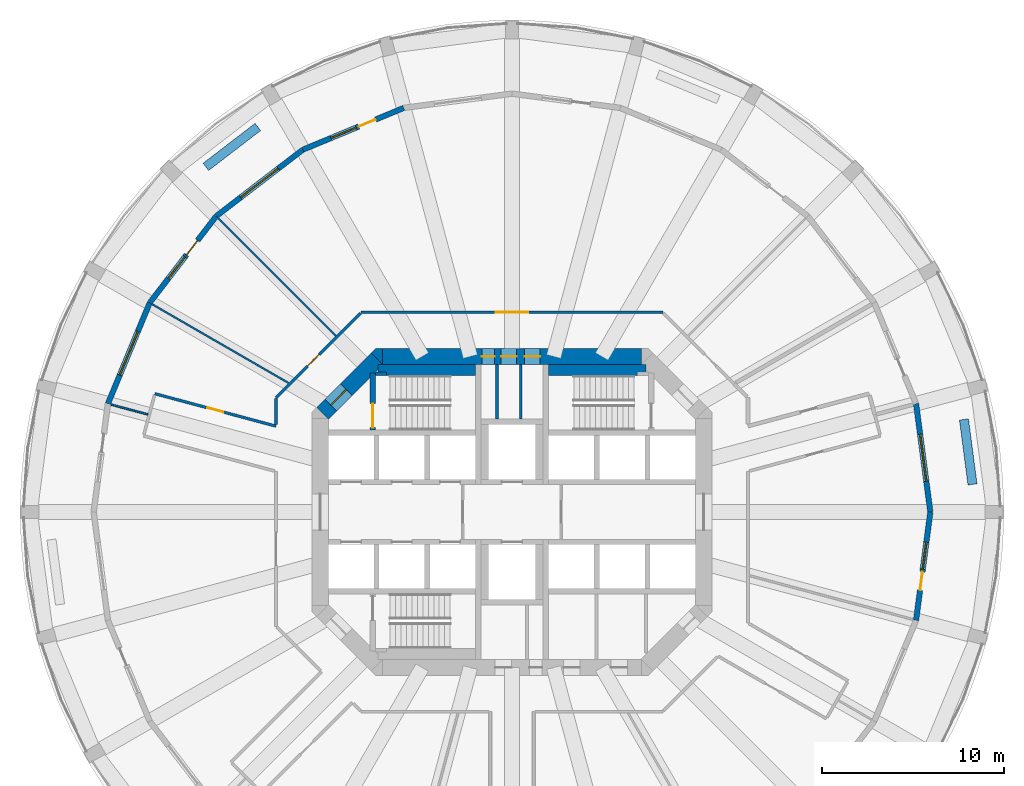
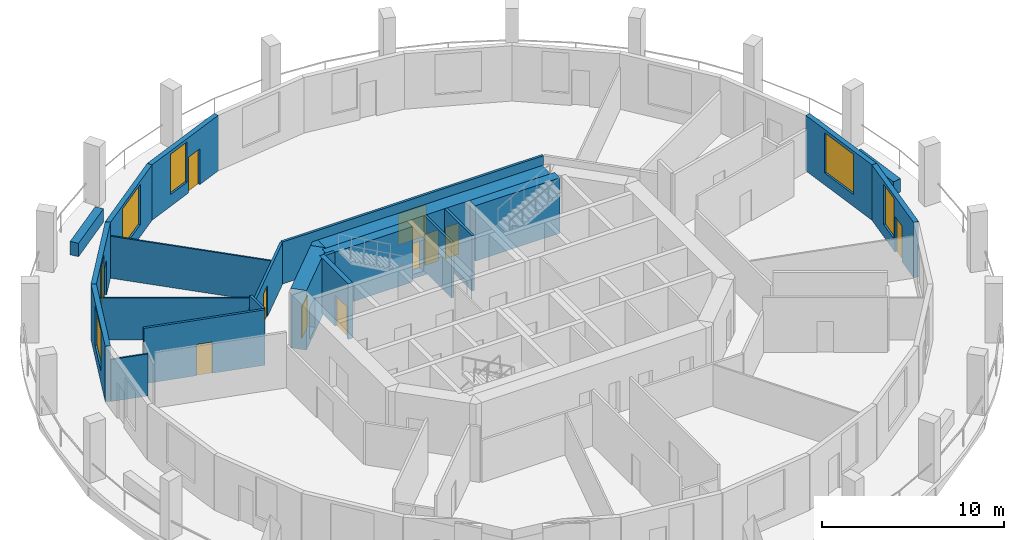
# One storey, part 5 of 9: 24 walls, 11 doors, 6 windows, 17 openings.
"""IFC4 building model written with IfcOpenShell, lengths in metres."""

from ifc_helpers import new_model, si_unit, direction, frame, frame_2d, origin, place, context, subcontext, project, spatial, polyline, rectangle, outline, extrude, material, layer, layer_set, type_object, element, fill, save


model = new_model("IFC4")

# Units and contexts
model_context = context("Model", 3, precision=1e-05, world=origin(), true_north=direction((0.0, 1.0)))
body_context = subcontext(model_context, "Body", "Model", "MODEL_VIEW")
ifc_project = project(units=[si_unit("LENGTHUNIT", "METRE"), si_unit("AREAUNIT", "SQUARE_METRE"), si_unit("VOLUMEUNIT", "CUBIC_METRE"), si_unit("PLANEANGLEUNIT", "RADIAN"), si_unit("MASSUNIT", "GRAM", prefix="KILO")], contexts=[model_context])

# Site, building, storey
site_placement = place(None, origin())
site = spatial("IfcSite", under=ifc_project, at=site_placement, CompositionType="ELEMENT")
building_placement = place(site_placement, origin())
building = spatial("IfcBuilding", under=site, at=building_placement, Name="Torre Triforio", CompositionType="ELEMENT")
storey_placement = place(building_placement, frame((0.0, 0.0, 47.0)))
storey = spatial("IfcBuildingStorey", under=building, at=storey_placement, Name="L09", CompositionType="ELEMENT", Elevation=47.0)

# Wall, openings, doors
ifc_material_1 = material(Name="Concrete C60", Category="concrete")
ifc_layer_1 = layer(ifc_material_1, 0.89990234375)
ifc_layer_set_1 = layer_set([ifc_layer_1], Name="Concrete C60")
wall_type_1 = type_object("IfcWallType", Name="Core wall 900 mm C60 EI 120", PredefinedType="SHEAR", material=ifc_layer_set_1)
wall_1_placement = place(storey_placement, frame((-7.1298828125, 8.550048828125, -0.280029296875), z_axis=(0.0, 0.0, 1.0), x_axis=(1.0, 0.0, 0.0)))
wall_1 = element("IfcWall", 1, at=wall_1_placement, inside=storey, type_object=wall_type_1, Name="Core wall", PredefinedType="SHEAR", context=body_context, shape_type="SweptSolid", body=[
    extrude(rectangle(XDim=14.259765625, YDim=0.89990234375, at=frame_2d((7.1298828125, 0.0))), origin(), (0.0, 0.0, 1.0), 4.0),
])
opening_1_placement = place(wall_1_placement, frame((5.47998046875, 0.0, 0.280029296875)))
opening_1 = element("IfcOpeningElement", 2, at=opening_1_placement, cuts=wall_1, Name="Opening RISER-N", PredefinedType="OPENING", context=body_context, shape_type="SweptSolid", body=[
    extrude(rectangle(XDim=0.699951171875, YDim=2.10009765625, at=frame_2d((0.35009765625, 1.050048828125))), frame((0.0, 0.4599609375, 0.0), z_axis=(0.0, -1.0, 0.0), x_axis=(1.0, 0.0, 0.0)), (0.0, 0.0, 1.0), 0.919921875),
])
opening_2_placement = place(wall_1_placement, frame((6.530029296875, 0.0, 0.280029296875)))
opening_2 = element("IfcOpeningElement", 3, at=opening_2_placement, cuts=wall_1, Name="Opening NE-01A", PredefinedType="OPENING", context=body_context, shape_type="SweptSolid", body=[
    extrude(rectangle(XDim=0.85009765625, YDim=2.10009765625, at=frame_2d((0.425048828125, 1.050048828125))), frame((0.0, 0.4599609375, 0.0), z_axis=(0.0, -1.0, 0.0), x_axis=(1.0, 0.0, 0.0)), (0.0, 0.0, 1.0), 0.919921875),
])
opening_3_placement = place(wall_1_placement, frame((7.830078125, 0.0, 0.280029296875)))
opening_3 = element("IfcOpeningElement", 4, at=opening_3_placement, cuts=wall_1, Name="Opening NE-02", PredefinedType="OPENING", context=body_context, shape_type="SweptSolid", body=[
    extrude(rectangle(XDim=0.85009765625, YDim=2.10009765625, at=frame_2d((0.425048828125, 1.050048828125))), frame((0.0, 0.4599609375, 0.0), z_axis=(0.0, -1.0, 0.0), x_axis=(1.0, 0.0, 0.0)), (0.0, 0.0, 1.0), 0.919921875),
])
ifc_material_2 = material(Name="Hollow metal fire door leaf")
door_type_1 = type_object("IfcDoorType", Name="Plant room door 850 x 2100 EI 60", OperationType="NOTDEFINED", PredefinedType="DOOR", material=ifc_material_2)
door_1_placement = place(opening_3_placement, origin())
door_1 = element("IfcDoor", 5, at=door_1_placement, inside=storey, type_object=door_type_1, Name="Core door NE-02", OperationType="SINGLE_SWING_RIGHT", OverallHeight=2.10009765625, OverallWidth=0.85009765625, PredefinedType="DOOR", context=body_context, shape_type="SweptSolid", body=[
    extrude(rectangle(XDim=0.85009765625, YDim=2.10009765625, at=frame_2d((0.425048828125, 1.050048828125))), frame((0.0, 0.02490234375, 0.0), z_axis=(0.0, -1.0, 0.0), x_axis=(1.0, 0.0, 0.0)), (0.0, 0.0, 1.0), 0.050048828125),
])
fill(opening_3, door_1)
door_type_2 = type_object("IfcDoorType", Name="Riser door 700 x 2100 EI 60", OperationType="NOTDEFINED", PredefinedType="DOOR", material=ifc_material_2)
door_2_placement = place(opening_1_placement, origin())
door_2 = element("IfcDoor", 6, at=door_2_placement, inside=storey, type_object=door_type_2, Name="Core door RISER-N", OperationType="SINGLE_SWING_LEFT", OverallHeight=2.10009765625, OverallWidth=0.699951171875, PredefinedType="DOOR", context=body_context, shape_type="SweptSolid", body=[
    extrude(rectangle(XDim=0.699951171875, YDim=2.10009765625, at=frame_2d((0.35009765625, 1.050048828125))), frame((0.0, 0.02490234375, 0.0), z_axis=(0.0, -1.0, 0.0), x_axis=(1.0, 0.0, 0.0)), (0.0, 0.0, 1.0), 0.050048828125),
])
fill(opening_1, door_2)
door_type_3 = type_object("IfcDoorType", Name="Room door 850 x 2100 EI 60", OperationType="NOTDEFINED", PredefinedType="DOOR", material=ifc_material_2)
door_3_placement = place(opening_2_placement, origin())
door_3 = element("IfcDoor", 7, at=door_3_placement, inside=storey, type_object=door_type_3, Name="Core door NE-01", OperationType="SINGLE_SWING_LEFT", OverallHeight=2.10009765625, OverallWidth=0.85009765625, PredefinedType="DOOR", context=body_context, shape_type="SweptSolid", body=[
    extrude(rectangle(XDim=0.85009765625, YDim=2.10009765625, at=frame_2d((0.425048828125, 1.050048828125))), frame((0.0, 0.02490234375, 0.0), z_axis=(0.0, -1.0, 0.0), x_axis=(1.0, 0.0, 0.0)), (0.0, 0.0, 1.0), 0.050048828125),
])
fill(opening_2, door_3)

# Wall, opening, door
wall_2_placement = place(storey_placement, frame((-10.418212890625, 5.418212890625, -0.280029296875), z_axis=(0.0, 0.0, 1.0), x_axis=(0.707106781187, 0.707106781187, 0.0)))
wall_2 = element("IfcWall", 8, at=wall_2_placement, inside=storey, type_object=wall_type_1, Name="Core wall", PredefinedType="SHEAR", context=body_context, shape_type="SweptSolid", body=[
    extrude(rectangle(XDim=4.24267578125, YDim=0.89990234375, at=frame_2d((2.121337890625, 0.0))), origin(), (0.0, 0.0, 1.0), 4.0),
])
opening_4_placement = place(wall_2_placement, frame((0.64990234375, 0.0, 0.280029296875)))
opening_4 = element("IfcOpeningElement", 9, at=opening_4_placement, cuts=wall_2, Name="Opening ST1-EXIT", PredefinedType="OPENING", context=body_context, shape_type="SweptSolid", body=[
    extrude(rectangle(XDim=1.199951171875, YDim=2.10009765625, at=frame_2d((0.60009765625, 1.050048828125))), frame((0.0, 0.4599609375, 0.0), z_axis=(0.0, -1.0, 0.0), x_axis=(1.0, 0.0, 0.0)), (0.0, 0.0, 1.0), 0.919921875),
])
door_type_4 = type_object("IfcDoorType", Name="Stair lobby door 1200 x 2100 EI 60", OperationType="NOTDEFINED", PredefinedType="DOOR", material=ifc_material_2)
door_4_placement = place(opening_4_placement, origin())
door_4 = element("IfcDoor", 10, at=door_4_placement, inside=storey, type_object=door_type_4, Name="Core door ST1-EXIT", OperationType="SINGLE_SWING_RIGHT", OverallHeight=2.10009765625, OverallWidth=1.199951171875, PredefinedType="DOOR", context=body_context, shape_type="SweptSolid", body=[
    extrude(rectangle(XDim=1.199951171875, YDim=2.10009765625, at=frame_2d((0.60009765625, 1.050048828125))), frame((0.0, 0.02490234375, 0.0), z_axis=(0.0, -1.0, 0.0), x_axis=(1.0, 0.0, 0.0)), (0.0, 0.0, 1.0), 0.050048828125),
])
fill(opening_4, door_4)

# Wall
wall_3_placement = place(storey_placement, frame((0.0, 0.0, -0.280029296875)))
element("IfcWall", 11, at=wall_3_placement, inside=storey, type_object=wall_type_1, Name="Core wall", PredefinedType="SHEAR", context=body_context, shape_type="SweptSolid", body=[
    extrude(outline(polyline([(-7.472900390625, 9.0), (-7.1298828125, 9.0), (-7.1298828125, 8.1298828125), (-7.736328125, 8.736328125), (-7.472900390625, 9.0)])), origin(), (0.0, 0.0, 1.0), 4.0),
])

# Wall, opening, door
ifc_material_3 = material(Name="Plasterboard on metal studs")
ifc_layer_2 = layer(ifc_material_3, 0.14990234375)
ifc_layer_set_2 = layer_set([ifc_layer_2], Name="Plasterboard on metal studs")
wall_type_2 = type_object("IfcWallType", Name="Corridor and tenancy wall 150 mm EI 60", PredefinedType="PARTITIONING", material=ifc_layer_set_2)
wall_4_placement = place(storey_placement, frame((-19.634521484375, 6.50341796875, 0.0), z_axis=(0.0, 0.0, 1.0), x_axis=(0.965924499418, -0.258823997003, 0.0)))
wall_4 = element("IfcWall", 12, at=wall_4_placement, inside=storey, type_object=wall_type_2, Name="Partition 17", PredefinedType="PARTITIONING", context=body_context, shape_type="SweptSolid", body=[
    extrude(rectangle(XDim=6.894287109375, YDim=0.14990234375, at=frame_2d((3.447265625, 0.0))), origin(), (0.0, 0.0, 1.0), 3.719970703125),
])
opening_5_placement = place(wall_4_placement, frame((2.997314453125, 0.0, 0.0)))
opening_5 = element("IfcOpeningElement", 13, at=opening_5_placement, cuts=wall_4, Name="Opening N2-03", PredefinedType="OPENING", context=body_context, shape_type="SweptSolid", body=[
    extrude(rectangle(XDim=0.89990234375, YDim=2.10009765625, at=frame_2d((0.449951171875, 1.050048828125))), frame((0.0, 0.0849609375, 0.0), z_axis=(0.0, -1.0, 0.0), x_axis=(1.0, 0.0, 0.0)), (0.0, 0.0, 1.0), 0.169921875),
])
ifc_material_4 = material(Name="Timber", Category="wood")
door_type_5 = type_object("IfcDoorType", Name="Door 900 x 2100 single leaf EI 30", OperationType="NOTDEFINED", PredefinedType="DOOR", material=ifc_material_4)
door_5_placement = place(opening_5_placement, origin())
door_5 = element("IfcDoor", 14, at=door_5_placement, inside=storey, type_object=door_type_5, Name="Door N2-03", OperationType="SINGLE_SWING_LEFT", OverallHeight=2.10009765625, OverallWidth=0.89990234375, PredefinedType="DOOR", context=body_context, shape_type="SweptSolid", body=[
    extrude(rectangle(XDim=0.89990234375, YDim=2.10009765625, at=frame_2d((0.449951171875, 1.050048828125))), frame((0.0, 0.02490234375, 0.0), z_axis=(0.0, -1.0, 0.0), x_axis=(1.0, 0.0, 0.0)), (0.0, 0.0, 1.0), 0.050048828125),
])
fill(opening_5, door_5)

# Wall
wall_5_placement = place(storey_placement, frame((-12.97509765625, 4.81640625, 0.0), z_axis=(0.0, 0.0, 1.0), x_axis=(0.0, 1.0, 0.0)))
element("IfcWall", 15, at=wall_5_placement, inside=storey, type_object=wall_type_2, Name="Partition 18", PredefinedType="PARTITIONING", context=body_context, shape_type="SweptSolid", body=[
    extrude(rectangle(XDim=1.421875, YDim=0.14990234375, at=frame_2d((0.7109375, 0.0))), origin(), (0.0, 0.0, 1.0), 3.719970703125),
])

# Wall, opening, door
wall_6_placement = place(storey_placement, frame((-12.97509765625, 6.291015625, 0.0), z_axis=(0.0, 0.0, 1.0), x_axis=(0.707125355289, 0.707088206597, 0.0)))
wall_6 = element("IfcWall", 16, at=wall_6_placement, inside=storey, type_object=wall_type_2, Name="Partition 19", PredefinedType="PARTITIONING", context=body_context, shape_type="SweptSolid", body=[
    extrude(rectangle(XDim=6.572021484375, YDim=0.14990234375, at=frame_2d((3.2861328125, 0.0))), origin(), (0.0, 0.0, 1.0), 2.820068359375),
])
opening_6_placement = place(wall_6_placement, frame((2.450439453125, 0.0, 0.0)))
opening_6 = element("IfcOpeningElement", 17, at=opening_6_placement, cuts=wall_6, Name="Opening N2-02", PredefinedType="OPENING", context=body_context, shape_type="SweptSolid", body=[
    extrude(rectangle(XDim=0.89990234375, YDim=2.10009765625, at=frame_2d((0.449951171875, 1.050048828125))), frame((0.0, 0.0849609375, 0.0), z_axis=(0.0, -1.0, 0.0), x_axis=(1.0, 0.0, 0.0)), (0.0, 0.0, 1.0), 0.169921875),
])
door_6_placement = place(opening_6_placement, origin())
door_6 = element("IfcDoor", 18, at=door_6_placement, inside=storey, type_object=door_type_5, Name="Door N2-02", OperationType="SINGLE_SWING_LEFT", OverallHeight=2.10009765625, OverallWidth=0.89990234375, PredefinedType="DOOR", context=body_context, shape_type="SweptSolid", body=[
    extrude(rectangle(XDim=0.89990234375, YDim=2.10009765625, at=frame_2d((0.449951171875, 1.050048828125))), frame((0.0, 0.02490234375, 0.0), z_axis=(0.0, -1.0, 0.0), x_axis=(1.0, 0.0, 0.0)), (0.0, 0.0, 1.0), 0.050048828125),
])
fill(opening_6, door_6)

wall_7_placement = place(storey_placement, frame((-8.291015625, 10.97509765625, 0.0), z_axis=(0.0, 0.0, 1.0), x_axis=(1.0, 0.0, 0.0)))
wall_7 = element("IfcWall", 19, at=wall_7_placement, inside=storey, type_object=wall_type_2, Name="Partition 20", PredefinedType="PARTITIONING", context=body_context, shape_type="SweptSolid", body=[
    extrude(rectangle(XDim=16.58203125, YDim=0.14990234375, at=frame_2d((8.291015625, 0.0))), origin(), (0.0, 0.0, 1.0), 2.820068359375),
])
opening_7_placement = place(wall_7_placement, frame((7.390869140625, 0.0, 0.0)))
opening_7 = element("IfcOpeningElement", 20, at=opening_7_placement, cuts=wall_7, Name="Opening N2-01", PredefinedType="OPENING", context=body_context, shape_type="SweptSolid", body=[
    extrude(rectangle(XDim=1.800048828125, YDim=2.10009765625, at=frame_2d((0.89990234375, 1.050048828125))), frame((0.0, 0.0849609375, 0.0), z_axis=(0.0, -1.0, 0.0), x_axis=(1.0, 0.0, 0.0)), (0.0, 0.0, 1.0), 0.169921875),
])
door_type_6 = type_object("IfcDoorType", Name="Door 1800 x 2100 double leaf EI 30", OperationType="DOUBLE_DOOR_SINGLE_SWING", PredefinedType="DOOR", material=ifc_material_4)
door_7_placement = place(opening_7_placement, origin())
door_7 = element("IfcDoor", 21, at=door_7_placement, inside=storey, type_object=door_type_6, Name="Door N2-01", OperationType="DOUBLE_DOOR_SINGLE_SWING", OverallHeight=2.10009765625, OverallWidth=1.800048828125, PredefinedType="DOOR", context=body_context, shape_type="SweptSolid", body=[
    extrude(rectangle(XDim=1.800048828125, YDim=2.10009765625, at=frame_2d((0.89990234375, 1.050048828125))), frame((0.0, 0.02490234375, 0.0), z_axis=(0.0, -1.0, 0.0), x_axis=(1.0, 0.0, 0.0)), (0.0, 0.0, 1.0), 0.050048828125),
])
fill(opening_7, door_7)

# Walls
ifc_layer_3 = layer(ifc_material_3, 0.10009765625)
ifc_layer_set_3 = layer_set([ifc_layer_3], Name="Plasterboard on metal studs")
wall_type_3 = type_object("IfcWallType", Name="Partition 100 mm board on metal studs", PredefinedType="PARTITIONING", material=ifc_layer_set_3)
wall_8_placement = place(storey_placement, frame((-9.68603515625, 9.68603515625, 0.0), z_axis=(0.0, 0.0, 1.0), x_axis=(-0.707106781187, 0.707106781187, 0.0)))
element("IfcWall", 22, at=wall_8_placement, inside=storey, type_object=wall_type_3, Name="Partition 33", PredefinedType="PARTITIONING", context=body_context, shape_type="SweptSolid", body=[
    extrude(rectangle(XDim=9.138427734375, YDim=0.10009765625, at=frame_2d((4.5693359375, 0.0))), origin(), (0.0, 0.0, 1.0), 2.820068359375),
])
wall_9_placement = place(storey_placement, frame((-12.294189453125, 7.097900390625, 0.0), z_axis=(0.0, 0.0, 1.0), x_axis=(-0.866010547425, 0.500025731086, 0.0)))
element("IfcWall", 23, at=wall_9_placement, inside=storey, type_object=wall_type_3, Name="Partition 34", PredefinedType="PARTITIONING", context=body_context, shape_type="SweptSolid", body=[
    extrude(rectangle(XDim=8.640625, YDim=0.10009765625, at=frame_2d((4.3203125, 0.0))), origin(), (0.0, 0.0, 1.0), 2.820068359375),
])
wall_10_placement = place(storey_placement, frame((-20.017578125, 5.36376953125, 0.0), z_axis=(0.0, 0.0, 1.0), x_axis=(-0.965927422152, 0.258813089189, 0.0)))
element("IfcWall", 24, at=wall_10_placement, inside=storey, type_object=wall_type_3, Name="Partition 35", PredefinedType="PARTITIONING", context=body_context, shape_type="SweptSolid", body=[
    extrude(rectangle(XDim=2.113037109375, YDim=0.10009765625, at=frame_2d((1.056640625, 0.0))), origin(), (0.0, 0.0, 1.0), 2.820068359375),
])
ifc_material_5 = material(Name="Block and board partition")
ifc_layer_4 = layer(ifc_material_5, 0.14990234375)
ifc_layer_set_4 = layer_set([ifc_layer_4], Name="Block and board partition")
wall_type_4 = type_object("IfcWallType", Name="Partition 150 mm", PredefinedType="PARTITIONING", material=ifc_layer_set_4)
wall_11_placement = place(storey_placement, frame((0.47509765625, 5.10009765625, 0.0), z_axis=(0.0, 0.0, 1.0), x_axis=(0.0, 1.0, 0.0)))
element("IfcWall", 25, at=wall_11_placement, inside=storey, type_object=wall_type_4, Name="Partition", PredefinedType="PARTITIONING", context=body_context, shape_type="SweptSolid", body=[
    extrude(rectangle(XDim=3.0, YDim=0.14990234375, at=frame_2d((1.5, 0.0))), origin(), (0.0, 0.0, 1.0), 3.719970703125),
])
ifc_layer_5 = layer(ifc_material_5, 0.14990234375)
ifc_layer_set_5 = layer_set([ifc_layer_5], Name="Block and board partition")
wall_type_5 = type_object("IfcWallType", Name="Partition 150 mm EI 120", PredefinedType="PARTITIONING", material=ifc_layer_set_5)
wall_12_placement = place(storey_placement, frame((-0.824951171875, 5.10009765625, 0.0), z_axis=(0.0, 0.0, 1.0), x_axis=(0.0, 1.0, 0.0)))
element("IfcWall", 26, at=wall_12_placement, inside=storey, type_object=wall_type_5, Name="Partition", PredefinedType="PARTITIONING", context=body_context, shape_type="SweptSolid", body=[
    extrude(rectangle(XDim=3.0, YDim=0.14990234375, at=frame_2d((1.5, 0.0))), origin(), (0.0, 0.0, 1.0), 3.719970703125),
])
ifc_material_6 = material(Name="Limestone cladding", Category="masonry")
ifc_layer_6 = layer(ifc_material_6, 0.10009765625)
ifc_material_7 = material(Name="Concrete C40", Category="concrete")
ifc_layer_7 = layer(ifc_material_7, 0.39990234375)
ifc_layer_set_6 = layer_set([ifc_layer_6, ifc_layer_7], Name="Limestone cladding / Concrete C40")
wall_type_6 = type_object("IfcWallType", Name="Planter wall 500", PredefinedType="PARAPET", material=ifc_layer_set_6)
wall_13_placement = place(storey_placement, frame((25.318603515625, 1.517578125, 0.0), z_axis=(0.0, 0.0, 1.0), x_axis=(-0.130542222659, 0.991442750795, 0.0)))
element("IfcWall", 27, at=wall_13_placement, inside=storey, type_object=wall_type_6, Name="Planter L09 bay 01", PredefinedType="PARAPET", context=body_context, shape_type="SweptSolid", body=[
    extrude(rectangle(XDim=3.60009765625, YDim=0.5, at=frame_2d((1.800048828125, 0.0))), origin(), (0.0, 0.0, 1.0), 0.89990234375),
])
wall_14_placement = place(storey_placement, frame((-13.9736328125, 21.16748046875, 0.0), z_axis=(0.0, 0.0, 1.0), x_axis=(-0.793359599829, -0.608753271334, 0.0)))
element("IfcWall", 28, at=wall_14_placement, inside=storey, type_object=wall_type_6, Name="Planter L09 bay 09", PredefinedType="PARAPET", context=body_context, shape_type="SweptSolid", body=[
    extrude(rectangle(XDim=3.599853515625, YDim=0.5, at=frame_2d((1.7998046875, 0.0))), origin(), (0.0, 0.0, 1.0), 0.89990234375),
])
ifc_layer_8 = layer(ifc_material_1, 0.199951171875)
ifc_layer_set_7 = layer_set([ifc_layer_8], Name="Concrete C60")
wall_type_7 = type_object("IfcWallType", Name="Stair wall 200 mm C60 EI 120", PredefinedType="SHEAR", material=ifc_layer_set_7)
wall_15_placement = place(storey_placement, frame((-7.5, 7.60009765625, 0.0), z_axis=(0.0, 0.0, 1.0), x_axis=(1.0, 0.0, 0.0)))
element("IfcWall", 29, at=wall_15_placement, inside=storey, type_object=wall_type_7, Name="Stair wall", PredefinedType="SHEAR", context=body_context, shape_type="SweptSolid", body=[
    extrude(rectangle(XDim=0.60009765625, YDim=0.199951171875, at=frame_2d((0.300048828125, 0.0))), origin(), (0.0, 0.0, 1.0), 3.719970703125),
])

# Wall, opening, door
ifc_layer_9 = layer(ifc_material_1, 0.300048828125)
ifc_layer_set_8 = layer_set([ifc_layer_9], Name="Concrete C60")
wall_type_8 = type_object("IfcWallType", Name="Stair wall 300 mm C60 EI 120", PredefinedType="SHEAR", material=ifc_layer_set_8)
wall_16_placement = place(storey_placement, frame((-7.64990234375, 4.5, 0.0), z_axis=(0.0, 0.0, 1.0), x_axis=(0.0, 1.0, 0.0)))
wall_16 = element("IfcWall", 30, at=wall_16_placement, inside=storey, type_object=wall_type_8, Name="Stair wall", PredefinedType="SHEAR", context=body_context, shape_type="SweptSolid", body=[
    extrude(rectangle(XDim=3.139892578125, YDim=0.300048828125, at=frame_2d((1.56982421875, 0.0))), origin(), (0.0, 0.0, 1.0), 3.719970703125),
])
opening_8_placement = place(wall_16_placement, frame((0.139892578125, 0.0, 0.0)))
opening_8 = element("IfcOpeningElement", 31, at=opening_8_placement, cuts=wall_16, Name="Opening ST1-STA", PredefinedType="OPENING", context=body_context, shape_type="SweptSolid", body=[
    extrude(rectangle(XDim=1.320068359375, YDim=2.10009765625, at=frame_2d((0.66015625, 1.050048828125))), frame((0.0, 0.159912109375, 0.0), z_axis=(0.0, -1.0, 0.0), x_axis=(1.0, 0.0, 0.0)), (0.0, 0.0, 1.0), 0.320068359375),
])
door_type_7 = type_object("IfcDoorType", Name="Stair door 1320 x 2100 EI 90", OperationType="DOUBLE_DOOR_SINGLE_SWING", PredefinedType="DOOR", material=ifc_material_2)
door_8_placement = place(opening_8_placement, origin())
door_8 = element("IfcDoor", 32, at=door_8_placement, inside=storey, type_object=door_type_7, Name="Core door ST1-ST", OperationType="DOUBLE_DOOR_SINGLE_SWING", OverallHeight=2.10009765625, OverallWidth=1.320068359375, PredefinedType="DOOR", context=body_context, shape_type="SweptSolid", body=[
    extrude(rectangle(XDim=1.320068359375, YDim=2.10009765625, at=frame_2d((0.66015625, 1.050048828125))), frame((0.0, 0.02490234375, 0.0), z_axis=(0.0, -1.0, 0.0), x_axis=(1.0, 0.0, 0.0)), (0.0, 0.0, 1.0), 0.050048828125),
])
fill(opening_8, door_8)

# Walls
ifc_layer_10 = layer(ifc_material_1, 0.60009765625)
ifc_layer_set_9 = layer_set([ifc_layer_10], Name="Concrete C60")
wall_type_9 = type_object("IfcWallType", Name="Stair wall 600 mm C60 EI 120", PredefinedType="SHEAR", material=ifc_layer_set_9)
for number, where, z_axis, x_axis, name in (
    (33, (-7.3701171875, 7.800048828125, 0.0), (0.0, 0.0, 1.0), (1.0, 0.0, 0.0), "Stair wall"),
    (34, (2.0, 7.800048828125, 0.0), (0.0, 0.0, 1.0), (1.0, 0.0, 0.0), "Stair wall"),
):
    element("IfcWall", number, at=place(storey_placement, frame(where, z_axis=z_axis, x_axis=x_axis)), inside=storey, type_object=wall_type_9, Name=name, PredefinedType="SHEAR", context=body_context, shape_type="SweptSolid", body=[
        extrude(rectangle(XDim=5.3701171875, YDim=0.60009765625, at=frame_2d((2.68505859375, 0.0))), origin(), (0.0, 0.0, 1.0), 3.719970703125),
    ])

# Wall, opening, window
ifc_layer_11 = layer(ifc_material_6, 0.10009765625)
ifc_layer_12 = layer(ifc_material_7, 0.199951171875)
ifc_layer_set_10 = layer_set([ifc_layer_11, ifc_layer_12], Name="Limestone cladding / Concrete C40")
wall_type_10 = type_object("IfcWallType", Name="Stone-faced composite wall 300", PredefinedType="STANDARD", material=ifc_layer_set_10)
wall_17_placement = place(storey_placement, frame((23.0, 0.0, 0.0), z_axis=(0.0, 0.0, 1.0), x_axis=(-0.130522880875, 0.991445297315, 0.0)))
wall_17 = element("IfcWall", 35, at=wall_17_placement, inside=storey, type_object=wall_type_10, Name="External wall L09 bay 01", PredefinedType="STANDARD", context=body_context, shape_type="SweptSolid", body=[
    extrude(rectangle(XDim=6.004150390625, YDim=0.300048828125, at=frame_2d((3.001953125, 0.0))), origin(), (0.0, 0.0, 1.0), 3.719970703125),
])
opening_9_placement = place(wall_17_placement, frame((1.7021484375, 0.0, 0.800048828125)))
opening_9 = element("IfcOpeningElement", 36, at=opening_9_placement, cuts=wall_17, Name="Opening N2-W01", PredefinedType="OPENING", context=body_context, shape_type="SweptSolid", body=[
    extrude(rectangle(XDim=2.60009765625, YDim=2.699951171875, at=frame_2d((1.300048828125, 1.35009765625))), frame((0.0, 0.159912109375, 0.0), z_axis=(0.0, -1.0, 0.0), x_axis=(1.0, 0.0, 0.0)), (0.0, 0.0, 1.0), 0.320068359375),
])
ifc_material_8 = material(Name="Aluminium frame with clear double glazing", Category="aluminium")
window_type_1 = type_object("IfcWindowType", Name="Punched window 2600 x 2700", PartitioningType="DOUBLE_PANEL_VERTICAL", PredefinedType="WINDOW", material=ifc_material_8)
window_1_placement = place(opening_9_placement, origin())
window_1 = element("IfcWindow", 37, at=window_1_placement, inside=storey, type_object=window_type_1, Name="Window EWN2 L09 bay 01", OverallHeight=2.699951171875, OverallWidth=2.60009765625, PartitioningType="SINGLE_PANEL", PredefinedType="WINDOW", context=body_context, shape_type="SweptSolid", body=[
    extrude(rectangle(XDim=2.60009765625, YDim=2.699951171875, at=frame_2d((1.300048828125, 1.35009765625))), frame((0.0, 0.030029296875, 0.0), z_axis=(0.0, -1.0, 0.0), x_axis=(1.0, 0.0, 0.0)), (0.0, 0.0, 1.0), 0.06005859375),
])
fill(opening_9, window_1)

# Wall, openings, door, window
wall_18_placement = place(storey_placement, frame((-5.952880859375, 22.21630859375, 0.0), z_axis=(0.0, 0.0, 1.0), x_axis=(-0.923884511653, -0.382671411433, 0.0)))
wall_18 = element("IfcWall", 38, at=wall_18_placement, inside=storey, type_object=wall_type_10, Name="External wall L09 bay 08", PredefinedType="STANDARD", context=body_context, shape_type="SweptSolid", body=[
    extrude(rectangle(XDim=6.004150390625, YDim=0.300048828125, at=frame_2d((3.001953125, 0.0))), origin(), (0.0, 0.0, 1.0), 3.719970703125),
])
opening_10_placement = place(wall_18_placement, frame((1.677001953125, 0.0, 0.0)))
opening_10 = element("IfcOpeningElement", 39, at=opening_10_placement, cuts=wall_18, Name="Opening N2-D08", PredefinedType="OPENING", context=body_context, shape_type="SweptSolid", body=[
    extrude(rectangle(XDim=1.0, YDim=2.39990234375, at=frame_2d((0.5, 1.199951171875))), frame((0.0, 0.159912109375, 0.0), z_axis=(0.0, -1.0, 0.0), x_axis=(1.0, 0.0, 0.0)), (0.0, 0.0, 1.0), 0.320068359375),
])
opening_11_placement = place(wall_18_placement, frame((2.8271484375, 0.0, 0.800048828125)))
opening_11 = element("IfcOpeningElement", 40, at=opening_11_placement, cuts=wall_18, Name="Opening N2-W08A", PredefinedType="OPENING", context=body_context, shape_type="SweptSolid", body=[
    extrude(rectangle(XDim=1.5, YDim=2.699951171875, at=frame_2d((0.75, 1.35009765625))), frame((0.0, 0.159912109375, 0.0), z_axis=(0.0, -1.0, 0.0), x_axis=(1.0, 0.0, 0.0)), (0.0, 0.0, 1.0), 0.320068359375),
])
door_type_8 = type_object("IfcDoorType", Name="Loggia door 1000 x 2400", OperationType="NOTDEFINED", PredefinedType="DOOR", material=ifc_material_8)
door_9_placement = place(opening_10_placement, origin())
door_9 = element("IfcDoor", 41, at=door_9_placement, inside=storey, type_object=door_type_8, Name="Loggia door L09 bay 08", OperationType="SINGLE_SWING_LEFT", OverallHeight=2.39990234375, OverallWidth=1.0, PredefinedType="DOOR", context=body_context, shape_type="SweptSolid", body=[
    extrude(rectangle(XDim=1.0, YDim=2.39990234375, at=frame_2d((0.5, 1.199951171875))), frame((0.0, 0.02490234375, 0.0), z_axis=(0.0, -1.0, 0.0), x_axis=(1.0, 0.0, 0.0)), (0.0, 0.0, 1.0), 0.050048828125),
])
fill(opening_10, door_9)
window_type_2 = type_object("IfcWindowType", Name="Side window 1500 x 2700", PartitioningType="SINGLE_PANEL", PredefinedType="WINDOW", material=ifc_material_8)
window_2_placement = place(opening_11_placement, origin())
window_2 = element("IfcWindow", 42, at=window_2_placement, inside=storey, type_object=window_type_2, Name="Side window EWN12 L09 bay 08", OverallHeight=2.699951171875, OverallWidth=1.5, PartitioningType="SINGLE_PANEL", PredefinedType="WINDOW", context=body_context, shape_type="SweptSolid", body=[
    extrude(rectangle(XDim=1.5, YDim=2.699951171875, at=frame_2d((0.75, 1.35009765625))), frame((0.0, 0.030029296875, 0.0), z_axis=(0.0, -1.0, 0.0), x_axis=(1.0, 0.0, 0.0)), (0.0, 0.0, 1.0), 0.06005859375),
])
fill(opening_11, window_2)

# Wall, opening, window
wall_19_placement = place(storey_placement, frame((-11.5, 19.918701171875, 0.0), z_axis=(0.0, 0.0, 1.0), x_axis=(-0.793339924758, -0.608778912074, 0.0)))
wall_19 = element("IfcWall", 43, at=wall_19_placement, inside=storey, type_object=wall_type_10, Name="External wall L09 bay 09", PredefinedType="STANDARD", context=body_context, shape_type="SweptSolid", body=[
    extrude(rectangle(XDim=6.004150390625, YDim=0.300048828125, at=frame_2d((3.001953125, 0.0))), origin(), (0.0, 0.0, 1.0), 3.719970703125),
])
opening_12_placement = place(wall_19_placement, frame((1.7021484375, 0.0, 0.800048828125)))
opening_12 = element("IfcOpeningElement", 44, at=opening_12_placement, cuts=wall_19, Name="Opening N2-W09", PredefinedType="OPENING", context=body_context, shape_type="SweptSolid", body=[
    extrude(rectangle(XDim=2.60009765625, YDim=2.699951171875, at=frame_2d((1.300048828125, 1.35009765625))), frame((0.0, 0.159912109375, 0.0), z_axis=(0.0, -1.0, 0.0), x_axis=(1.0, 0.0, 0.0)), (0.0, 0.0, 1.0), 0.320068359375),
])
window_3_placement = place(opening_12_placement, origin())
window_3 = element("IfcWindow", 45, at=window_3_placement, inside=storey, type_object=window_type_1, Name="Window EWN2 L09 bay 09", OverallHeight=2.699951171875, OverallWidth=2.60009765625, PartitioningType="SINGLE_PANEL", PredefinedType="WINDOW", context=body_context, shape_type="SweptSolid", body=[
    extrude(rectangle(XDim=2.60009765625, YDim=2.699951171875, at=frame_2d((1.300048828125, 1.35009765625))), frame((0.0, 0.030029296875, 0.0), z_axis=(0.0, -1.0, 0.0), x_axis=(1.0, 0.0, 0.0)), (0.0, 0.0, 1.0), 0.06005859375),
])
fill(opening_12, window_3)

# Wall, openings, door, window
wall_20_placement = place(storey_placement, frame((-16.263427734375, 16.263427734375, 0.0), z_axis=(0.0, 0.0, 1.0), x_axis=(-0.608778912074, -0.793339924758, 0.0)))
wall_20 = element("IfcWall", 46, at=wall_20_placement, inside=storey, type_object=wall_type_10, Name="External wall L09 bay 10", PredefinedType="STANDARD", context=body_context, shape_type="SweptSolid", body=[
    extrude(rectangle(XDim=6.004150390625, YDim=0.300048828125, at=frame_2d((3.001953125, 0.0))), origin(), (0.0, 0.0, 1.0), 3.719970703125),
])
opening_13_placement = place(wall_20_placement, frame((1.677001953125, 0.0, 0.0)))
opening_13 = element("IfcOpeningElement", 47, at=opening_13_placement, cuts=wall_20, Name="Opening N2-D10", PredefinedType="OPENING", context=body_context, shape_type="SweptSolid", body=[
    extrude(rectangle(XDim=1.0, YDim=2.39990234375, at=frame_2d((0.5, 1.199951171875))), frame((0.0, 0.159912109375, 0.0), z_axis=(0.0, -1.0, 0.0), x_axis=(1.0, 0.0, 0.0)), (0.0, 0.0, 1.0), 0.320068359375),
])
opening_14_placement = place(wall_20_placement, frame((2.8271484375, 0.0, 0.800048828125)))
opening_14 = element("IfcOpeningElement", 48, at=opening_14_placement, cuts=wall_20, Name="Opening N2-W10A", PredefinedType="OPENING", context=body_context, shape_type="SweptSolid", body=[
    extrude(rectangle(XDim=1.5, YDim=2.699951171875, at=frame_2d((0.75, 1.35009765625))), frame((0.0, 0.159912109375, 0.0), z_axis=(0.0, -1.0, 0.0), x_axis=(1.0, 0.0, 0.0)), (0.0, 0.0, 1.0), 0.320068359375),
])
door_10_placement = place(opening_13_placement, origin())
door_10 = element("IfcDoor", 49, at=door_10_placement, inside=storey, type_object=door_type_8, Name="Loggia door L09 bay 10", OperationType="SINGLE_SWING_LEFT", OverallHeight=2.39990234375, OverallWidth=1.0, PredefinedType="DOOR", context=body_context, shape_type="SweptSolid", body=[
    extrude(rectangle(XDim=1.0, YDim=2.39990234375, at=frame_2d((0.5, 1.199951171875))), frame((0.0, 0.02490234375, 0.0), z_axis=(0.0, -1.0, 0.0), x_axis=(1.0, 0.0, 0.0)), (0.0, 0.0, 1.0), 0.050048828125),
])
fill(opening_13, door_10)
window_4_placement = place(opening_14_placement, origin())
window_4 = element("IfcWindow", 50, at=window_4_placement, inside=storey, type_object=window_type_2, Name="Side window EWN12 L09 bay 10", OverallHeight=2.699951171875, OverallWidth=1.5, PartitioningType="SINGLE_PANEL", PredefinedType="WINDOW", context=body_context, shape_type="SweptSolid", body=[
    extrude(rectangle(XDim=1.5, YDim=2.699951171875, at=frame_2d((0.75, 1.35009765625))), frame((0.0, 0.030029296875, 0.0), z_axis=(0.0, -1.0, 0.0), x_axis=(1.0, 0.0, 0.0)), (0.0, 0.0, 1.0), 0.06005859375),
])
fill(opening_14, window_4)

# Wall, opening, window
wall_21_placement = place(storey_placement, frame((-19.918701171875, 11.5, 0.0), z_axis=(0.0, 0.0, 1.0), x_axis=(-0.382671411433, -0.923884511653, 0.0)))
wall_21 = element("IfcWall", 51, at=wall_21_placement, inside=storey, type_object=wall_type_10, Name="External wall L09 bay 11", PredefinedType="STANDARD", context=body_context, shape_type="SweptSolid", body=[
    extrude(rectangle(XDim=6.004150390625, YDim=0.300048828125, at=frame_2d((3.001953125, 0.0))), origin(), (0.0, 0.0, 1.0), 3.719970703125),
])
opening_15_placement = place(wall_21_placement, frame((1.7021484375, 0.0, 0.800048828125)))
opening_15 = element("IfcOpeningElement", 52, at=opening_15_placement, cuts=wall_21, Name="Opening N2-W11", PredefinedType="OPENING", context=body_context, shape_type="SweptSolid", body=[
    extrude(rectangle(XDim=2.60009765625, YDim=2.699951171875, at=frame_2d((1.300048828125, 1.35009765625))), frame((0.0, 0.159912109375, 0.0), z_axis=(0.0, -1.0, 0.0), x_axis=(1.0, 0.0, 0.0)), (0.0, 0.0, 1.0), 0.320068359375),
])
window_5_placement = place(opening_15_placement, origin())
window_5 = element("IfcWindow", 53, at=window_5_placement, inside=storey, type_object=window_type_1, Name="Window EWN2 L09 bay 11", OverallHeight=2.699951171875, OverallWidth=2.60009765625, PartitioningType="SINGLE_PANEL", PredefinedType="WINDOW", context=body_context, shape_type="SweptSolid", body=[
    extrude(rectangle(XDim=2.60009765625, YDim=2.699951171875, at=frame_2d((1.300048828125, 1.35009765625))), frame((0.0, 0.030029296875, 0.0), z_axis=(0.0, -1.0, 0.0), x_axis=(1.0, 0.0, 0.0)), (0.0, 0.0, 1.0), 0.06005859375),
])
fill(opening_15, window_5)

# Wall, openings, door, window
wall_22_placement = place(storey_placement, frame((22.21630859375, -5.952880859375, 0.0), z_axis=(0.0, 0.0, 1.0), x_axis=(0.130522880875, 0.991445297315, 0.0)))
wall_22 = element("IfcWall", 54, at=wall_22_placement, inside=storey, type_object=wall_type_10, Name="External wall L09 bay 24", PredefinedType="STANDARD", context=body_context, shape_type="SweptSolid", body=[
    extrude(rectangle(XDim=6.004150390625, YDim=0.300048828125, at=frame_2d((3.001953125, 0.0))), origin(), (0.0, 0.0, 1.0), 3.719970703125),
])
opening_16_placement = place(wall_22_placement, frame((1.677001953125, 0.0, 0.0)))
opening_16 = element("IfcOpeningElement", 55, at=opening_16_placement, cuts=wall_22, Name="Opening N2-D24", PredefinedType="OPENING", context=body_context, shape_type="SweptSolid", body=[
    extrude(rectangle(XDim=1.0, YDim=2.39990234375, at=frame_2d((0.5, 1.199951171875))), frame((0.0, 0.159912109375, 0.0), z_axis=(0.0, -1.0, 0.0), x_axis=(1.0, 0.0, 0.0)), (0.0, 0.0, 1.0), 0.320068359375),
])
opening_17_placement = place(wall_22_placement, frame((2.8271484375, 0.0, 0.800048828125)))
opening_17 = element("IfcOpeningElement", 56, at=opening_17_placement, cuts=wall_22, Name="Opening N2-W24A", PredefinedType="OPENING", context=body_context, shape_type="SweptSolid", body=[
    extrude(rectangle(XDim=1.5, YDim=2.699951171875, at=frame_2d((0.75, 1.35009765625))), frame((0.0, 0.159912109375, 0.0), z_axis=(0.0, -1.0, 0.0), x_axis=(1.0, 0.0, 0.0)), (0.0, 0.0, 1.0), 0.320068359375),
])
door_11_placement = place(opening_16_placement, origin())
door_11 = element("IfcDoor", 57, at=door_11_placement, inside=storey, type_object=door_type_8, Name="Loggia door L09 bay 24", OperationType="SINGLE_SWING_LEFT", OverallHeight=2.39990234375, OverallWidth=1.0, PredefinedType="DOOR", context=body_context, shape_type="SweptSolid", body=[
    extrude(rectangle(XDim=1.0, YDim=2.39990234375, at=frame_2d((0.5, 1.199951171875))), frame((0.0, 0.02490234375, 0.0), z_axis=(0.0, -1.0, 0.0), x_axis=(1.0, 0.0, 0.0)), (0.0, 0.0, 1.0), 0.050048828125),
])
fill(opening_16, door_11)
window_6_placement = place(opening_17_placement, origin())
window_6 = element("IfcWindow", 58, at=window_6_placement, inside=storey, type_object=window_type_2, Name="Side window EWN12 L09 bay 24", OverallHeight=2.699951171875, OverallWidth=1.5, PartitioningType="SINGLE_PANEL", PredefinedType="WINDOW", context=body_context, shape_type="SweptSolid", body=[
    extrude(rectangle(XDim=1.5, YDim=2.699951171875, at=frame_2d((0.75, 1.35009765625))), frame((0.0, 0.030029296875, 0.0), z_axis=(0.0, -1.0, 0.0), x_axis=(1.0, 0.0, 0.0)), (0.0, 0.0, 1.0), 0.06005859375),
])
fill(opening_17, window_6)

save(model, "model.ifc")
